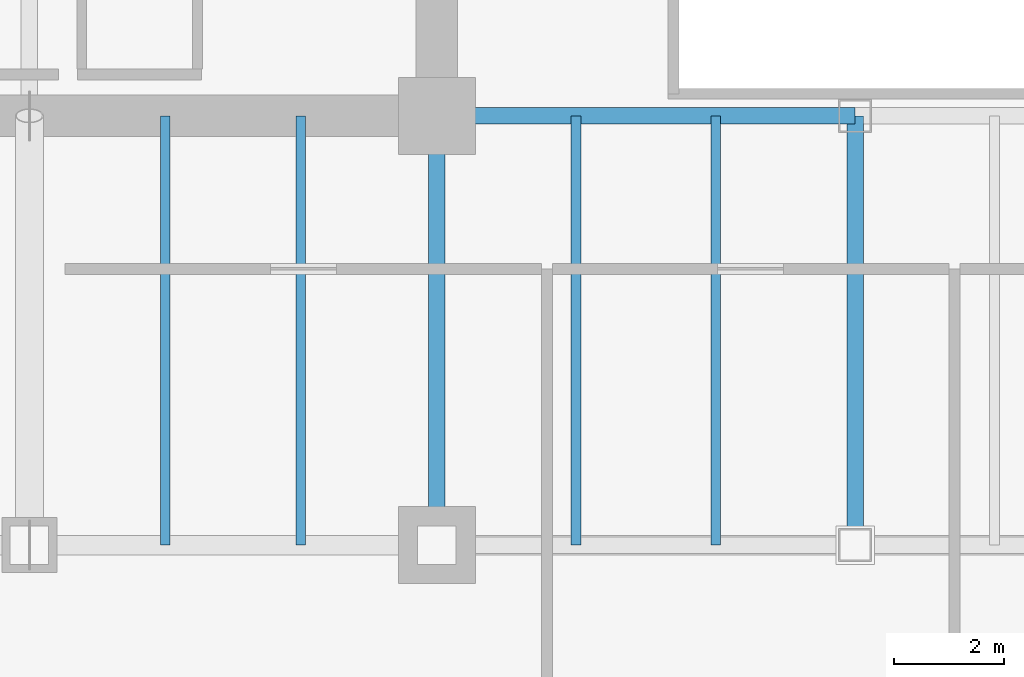
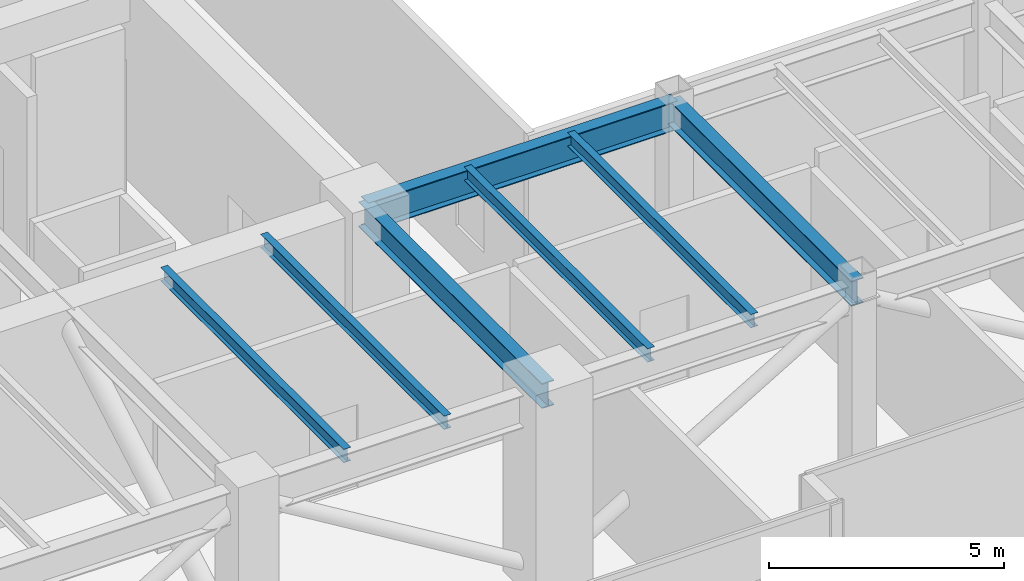
# One storey, part 5 of 38: 7 beams.
"""IFC4 building model written with IfcOpenShell, lengths in metres."""

from ifc_helpers import new_model, si_unit, direction, frame, origin, origin_2d, place, context, subcontext, project, spatial, i_section, extrude, source, transform, mapped, material, material_profile, profile_set, type_object, type_shapes, element, save


model = new_model("IFC4")

# Units and contexts
model_context = context("Model", 3, precision=1e-05, world=origin(), true_north=direction((0.0, 1.0)))
body_context = subcontext(model_context, "Body", "Model", "MODEL_VIEW")
ifc_project = project(units=[si_unit("LENGTHUNIT", "METRE"), si_unit("AREAUNIT", "SQUARE_METRE"), si_unit("VOLUMEUNIT", "CUBIC_METRE"), si_unit("PLANEANGLEUNIT", "RADIAN"), si_unit("MASSUNIT", "GRAM", prefix="KILO")], contexts=[model_context])

# Site, building, storey
site_placement = place(None, origin())
site = spatial("IfcSite", under=ifc_project, at=site_placement, CompositionType="ELEMENT")
building_placement = place(site_placement, origin())
building = spatial("IfcBuilding", under=site, at=building_placement, Name="Haelvirn Gate Laboratories", CompositionType="ELEMENT")
storey_placement = place(building_placement, frame((0.0, 0.0, 94.89990234375)))
storey = spatial("IfcBuildingStorey", under=building, at=storey_placement, Name="L23", CompositionType="ELEMENT", Elevation=94.89990234375)

# Beams
ifc_material = material(Name="Steel SM355", Category="steel")
ifc_material_profile_1 = material_profile(ifc_material, i_section(OverallWidth=0.300048828125, OverallDepth=0.75, WebThickness=0.013916015625, FlangeThickness=0.02392578125, at=origin_2d()), Name="H-750x300x14x24")
ifc_profile_set_1 = profile_set([ifc_material_profile_1], Name="Steel SM355")
beam_type_1 = type_object("IfcBeamType", Name="BM-G-750", PredefinedType="BEAM", material=ifc_profile_set_1)
shared_shape_1 = source(origin(), body_context, "Body", "SweptSolid", [
    extrude(i_section(OverallWidth=0.300048828125, OverallDepth=0.75, WebThickness=0.013916015625, FlangeThickness=0.02392578125, at=origin_2d()), origin(), (0.0, 0.0, 1.0), 7.60009765625),
])
type_shapes(beam_type_1, [shared_shape_1])
beam_placement = place(storey_placement, frame((22.199951171875, 14.800048828125, 4.715087890625), z_axis=(1.0, 0.0, 0.0), x_axis=(0.0, 1.0, 0.0)))
element("IfcBeam", 1, at=beam_placement, inside=storey, type_object=beam_type_1, Name="L23 Primary Girder Y14.8 (22.2-29.8)", PredefinedType="BEAM", context=body_context, shape_type="MappedRepresentation", body=[
    mapped(shared_shape_1, transform((0.0, 0.0, 0.0), scale=1.0)),
])
ifc_material_profile_2 = material_profile(ifc_material, i_section(OverallWidth=0.175048828125, OverallDepth=0.35009765625, WebThickness=0.007080078125, FlangeThickness=0.010986328125, at=origin_2d()), Name="H-350x175x7x11")
ifc_profile_set_2 = profile_set([ifc_material_profile_2], Name="Steel SM355")
beam_type_2 = type_object("IfcBeamType", Name="BM-J-350", PredefinedType="JOIST", material=ifc_profile_set_2)
shared_shape_2 = source(origin(), body_context, "Body", "SweptSolid", [
    extrude(i_section(OverallWidth=0.175048828125, OverallDepth=0.35009765625, WebThickness=0.007080078125, FlangeThickness=0.010986328125, at=origin_2d()), origin(), (0.0, 0.0, 1.0), 7.800048828125),
])
type_shapes(beam_type_2, [shared_shape_2])
for number, where, z_axis, x_axis, name in (
    (2, (17.27001953125, 7.0, 4.9150390625), (0.0, 1.0, 0.0), (-1.0, 0.0, 0.0), "L23 Composite Lab Joist South X17.27"),
    (3, (19.72998046875, 7.0, 4.9150390625), (0.0, 1.0, 0.0), (-1.0, 0.0, 0.0), "L23 Composite Lab Joist South X19.73"),
    (4, (24.72998046875, 7.0, 4.9150390625), (0.0, 1.0, 0.0), (-1.0, 0.0, 0.0), "L23 Composite Lab Joist South X24.73"),
    (5, (27.27001953125, 7.0, 4.9150390625), (0.0, 1.0, 0.0), (-1.0, 0.0, 0.0), "L23 Composite Lab Joist South X27.27"),
):
    element("IfcBeam", number, at=place(storey_placement, frame(where, z_axis=z_axis, x_axis=x_axis)), inside=storey, type_object=beam_type_2, Name=name, PredefinedType="JOIST", context=body_context, shape_type="MappedRepresentation", body=[
        mapped(shared_shape_2, transform((0.0, 0.0, 0.0), scale=1.0)),
    ])
ifc_material_profile_3 = material_profile(ifc_material, i_section(OverallWidth=0.300048828125, OverallDepth=0.64990234375, WebThickness=0.012939453125, FlangeThickness=0.02197265625, at=origin_2d()), Name="H-650x300x13x22")
ifc_profile_set_3 = profile_set([ifc_material_profile_3], Name="Steel SM355")
beam_type_3 = type_object("IfcBeamType", Name="BM-G-650", PredefinedType="BEAM", material=ifc_profile_set_3)
shared_shape_3 = source(origin(), body_context, "Body", "SweptSolid", [
    extrude(i_section(OverallWidth=0.300048828125, OverallDepth=0.64990234375, WebThickness=0.012939453125, FlangeThickness=0.02197265625, at=origin_2d()), origin(), (0.0, 0.0, 1.0), 7.800048828125),
])
type_shapes(beam_type_3, [shared_shape_3])
for number, where, z_axis, x_axis, name in (
    (6, (22.199951171875, 7.0, 4.76513671875), (0.0, 1.0, 0.0), (-1.0, 0.0, 0.0), "L23 Frame Girder X22.2 (7.0-14.8)"),
    (7, (29.800048828125, 7.0, 4.76513671875), (0.0, 1.0, 0.0), (-1.0, 0.0, 0.0), "L23 Frame Girder X29.8 (7.0-14.8)"),
):
    element("IfcBeam", number, at=place(storey_placement, frame(where, z_axis=z_axis, x_axis=x_axis)), inside=storey, type_object=beam_type_3, Name=name, PredefinedType="BEAM", context=body_context, shape_type="MappedRepresentation", body=[
        mapped(shared_shape_3, transform((0.0, 0.0, 0.0), scale=1.0)),
    ])

save(model, "model.ifc")
